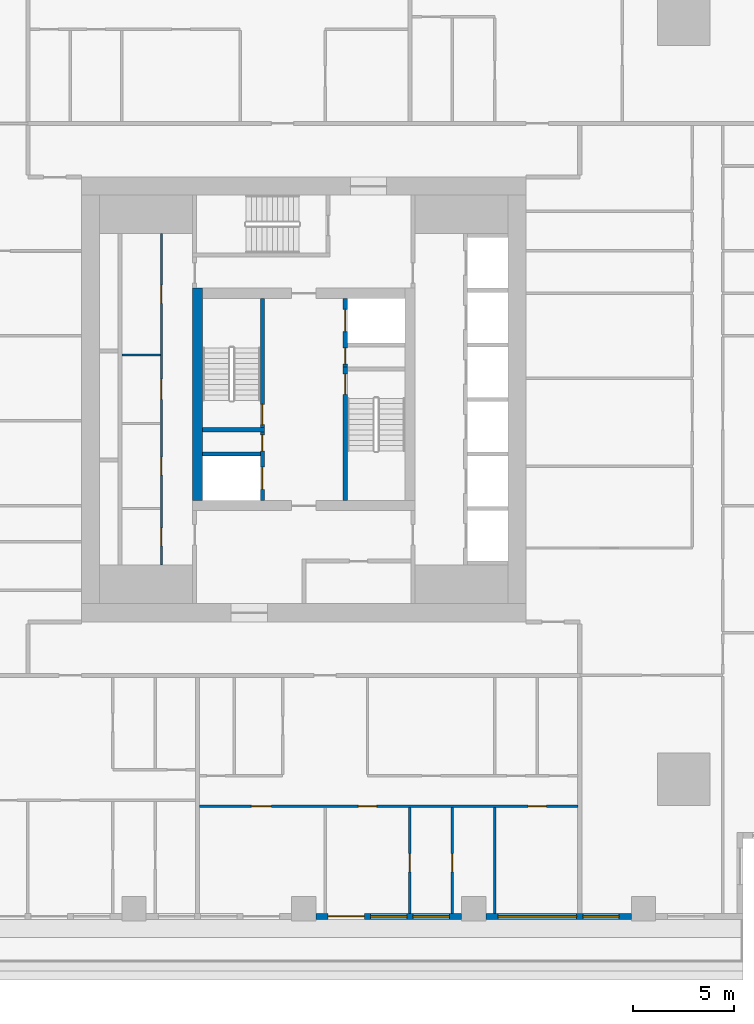
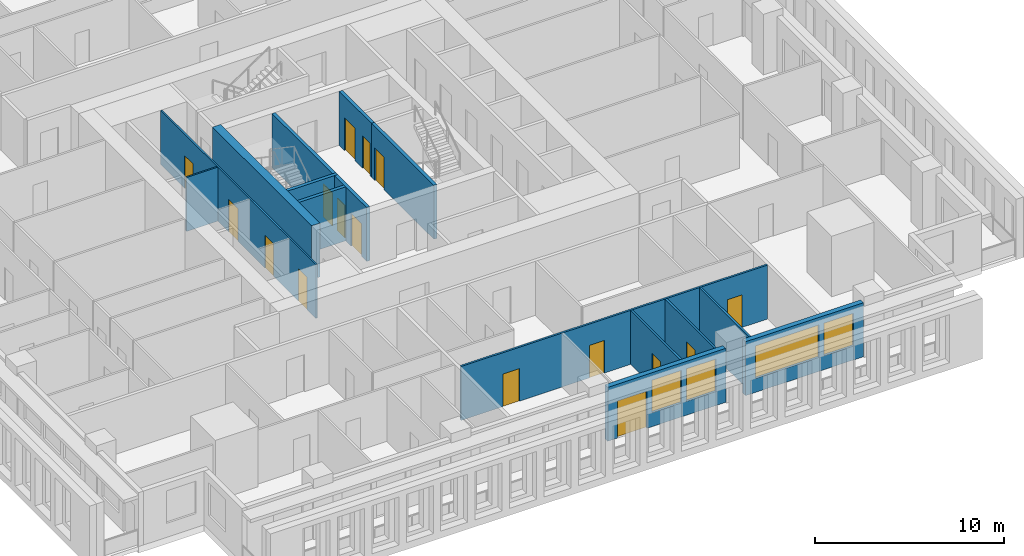
# One storey, part 4 of 16: 16 doors, 15 walls, 4 windows, 20 openings.
"""IFC4 building model written with IfcOpenShell, lengths in metres."""

from ifc_helpers import new_model, si_unit, direction, frame, frame_2d, origin, place, context, subcontext, project, spatial, rectangle, extrude, material, layer, layer_set, type_object, element, fill, save


model = new_model("IFC4")

# Units and contexts
model_context = context("Model", 3, precision=1e-05, world=origin(), true_north=direction((0.0, 1.0)))
body_context = subcontext(model_context, "Body", "Model", "MODEL_VIEW")
ifc_project = project(units=[si_unit("LENGTHUNIT", "METRE"), si_unit("AREAUNIT", "SQUARE_METRE"), si_unit("VOLUMEUNIT", "CUBIC_METRE"), si_unit("PLANEANGLEUNIT", "RADIAN"), si_unit("MASSUNIT", "GRAM", prefix="KILO")], contexts=[model_context])

# Site, building, storey
site_placement = place(None, origin())
site = spatial("IfcSite", under=ifc_project, at=site_placement, CompositionType="ELEMENT")
building_placement = place(site_placement, origin())
building = spatial("IfcBuilding", under=site, at=building_placement, Name="Khepri Terraces", CompositionType="ELEMENT")
storey_placement = place(building_placement, frame((0.0, 0.0, 137.699951171875)))
storey = spatial("IfcBuildingStorey", under=building, at=storey_placement, Name="L32", CompositionType="ELEMENT", Elevation=137.699951171875)

# Wall, opening, door
ifc_material_1 = material(Name="Concrete C60/75", Category="concrete")
ifc_layer_1 = layer(ifc_material_1, 0.199951171875, Name="Concrete C60/75", Category="concrete")
ifc_layer_set_1 = layer_set([ifc_layer_1], Name="Concrete C60/75")
wall_type_1 = type_object("IfcWallType", Name="Core wall 200 C60/75", PredefinedType="SHEAR", material=ifc_layer_set_1)
wall_1_placement = place(storey_placement, frame((2.050048828125, -5.0, 0.0), z_axis=(0.0, 0.0, 1.0), x_axis=(0.0, 1.0, 0.0)))
wall_1 = element("IfcWall", 1, at=wall_1_placement, inside=storey, type_object=wall_type_1, Name="Core wall ST01 L32", PredefinedType="SHEAR", context=body_context, shape_type="SweptSolid", body=[
    extrude(rectangle(XDim=6.60009765625, YDim=0.199951171875, at=frame_2d((3.300048828125, 0.0))), origin(), (0.0, 0.0, 1.0), 3.47998046875),
])
opening_1_placement = place(wall_1_placement, frame((5.25, 0.0, 0.0)))
opening_1 = element("IfcOpeningElement", 2, at=opening_1_placement, cuts=wall_1, Name="Opening L32-C10", PredefinedType="OPENING", context=body_context, shape_type="SweptSolid", body=[
    extrude(rectangle(XDim=1.0, YDim=2.10009765625, at=frame_2d((0.5, 1.050048828125))), frame((0.0, 0.10986328125, 0.0), z_axis=(0.0, -1.0, 0.0), x_axis=(1.0, 0.0, 0.0)), (0.0, 0.0, 1.0), 0.219970703125),
])
ifc_material_2 = material(Name="Painted steel", Category="steel")
door_type_1 = type_object("IfcDoorType", Name="DR-CORE-STAIR-1000", OperationType="NOTDEFINED", PredefinedType="DOOR", material=ifc_material_2)
door_1_placement = place(opening_1_placement, frame((1.0, 0.0, 0.0), z_axis=(0.0, 0.0, 1.0), x_axis=(-1.0, 0.0, 0.0)))
door_1 = element("IfcDoor", 3, at=door_1_placement, inside=storey, type_object=door_type_1, Name="Stair door L32-C10", OperationType="SINGLE_SWING_LEFT", OverallHeight=2.10009765625, OverallWidth=1.0, PredefinedType="DOOR", context=body_context, shape_type="SweptSolid", body=[
    extrude(rectangle(XDim=1.0, YDim=2.10009765625, at=frame_2d((0.5, 1.050048828125))), frame((0.0, 0.02490234375, 0.0), z_axis=(0.0, -1.0, 0.0), x_axis=(1.0, 0.0, 0.0)), (0.0, 0.0, 1.0), 0.050048828125),
])
fill(opening_1, door_1)

# Wall
wall_2_placement = place(storey_placement, frame((-5.0, -1.5, 0.0), z_axis=(0.0, 0.0, 1.0), x_axis=(1.0, 0.0, 0.0)))
element("IfcWall", 4, at=wall_2_placement, inside=storey, type_object=wall_type_1, Name="Core wall ST02 L32", PredefinedType="SHEAR", context=body_context, shape_type="SweptSolid", body=[
    extrude(rectangle(XDim=3.050048828125, YDim=0.199951171875, at=frame_2d((1.52490234375, 0.0))), origin(), (0.0, 0.0, 1.0), 3.47998046875),
])

# Wall, opening, door
wall_3_placement = place(storey_placement, frame((-2.050048828125, -1.39990234375, 0.0), z_axis=(0.0, 0.0, 1.0), x_axis=(0.0, 1.0, 0.0)))
wall_3 = element("IfcWall", 5, at=wall_3_placement, inside=storey, type_object=wall_type_1, Name="Core wall ST03 L32", PredefinedType="SHEAR", context=body_context, shape_type="SweptSolid", body=[
    extrude(rectangle(XDim=6.39990234375, YDim=0.199951171875, at=frame_2d((3.199951171875, 0.0))), origin(), (0.0, 0.0, 1.0), 3.47998046875),
])
opening_2_placement = place(wall_3_placement, frame((0.14990234375, 0.0, 0.0)))
opening_2 = element("IfcOpeningElement", 6, at=opening_2_placement, cuts=wall_3, Name="Opening L32-C09", PredefinedType="OPENING", context=body_context, shape_type="SweptSolid", body=[
    extrude(rectangle(XDim=1.0, YDim=2.10009765625, at=frame_2d((0.5, 1.050048828125))), frame((0.0, 0.10986328125, 0.0), z_axis=(0.0, -1.0, 0.0), x_axis=(1.0, 0.0, 0.0)), (0.0, 0.0, 1.0), 0.219970703125),
])
door_2_placement = place(opening_2_placement, origin())
door_2 = element("IfcDoor", 7, at=door_2_placement, inside=storey, type_object=door_type_1, Name="Stair door L32-C09", OperationType="SINGLE_SWING_LEFT", OverallHeight=2.10009765625, OverallWidth=1.0, PredefinedType="DOOR", context=body_context, shape_type="SweptSolid", body=[
    extrude(rectangle(XDim=1.0, YDim=2.10009765625, at=frame_2d((0.5, 1.050048828125))), frame((0.0, 0.02490234375, 0.0), z_axis=(0.0, -1.0, 0.0), x_axis=(1.0, 0.0, 0.0)), (0.0, 0.0, 1.0), 0.050048828125),
])
fill(opening_2, door_2)

# Wall, openings, doors
wall_4_placement = place(storey_placement, frame((-2.050048828125, -5.0, 0.0), z_axis=(0.0, 0.0, 1.0), x_axis=(0.0, 1.0, 0.0)))
wall_4 = element("IfcWall", 8, at=wall_4_placement, inside=storey, type_object=wall_type_1, Name="Core wall SH05 L32", PredefinedType="SHEAR", context=body_context, shape_type="SweptSolid", body=[
    extrude(rectangle(XDim=3.39990234375, YDim=0.199951171875, at=frame_2d((1.699951171875, 0.0))), origin(), (0.0, 0.0, 1.0), 3.47998046875),
])
opening_3_placement = place(wall_4_placement, frame((0.550048828125, 0.0, 0.0)))
opening_3 = element("IfcOpeningElement", 9, at=opening_3_placement, cuts=wall_4, Name="Opening L32-C08", PredefinedType="OPENING", context=body_context, shape_type="SweptSolid", body=[
    extrude(rectangle(XDim=1.10009765625, YDim=2.10009765625, at=frame_2d((0.550048828125, 1.050048828125))), frame((0.0, 0.10986328125, 0.0), z_axis=(0.0, -1.0, 0.0), x_axis=(1.0, 0.0, 0.0)), (0.0, 0.0, 1.0), 0.219970703125),
])
opening_4_placement = place(wall_4_placement, frame((2.449951171875, 0.0, 0.0)))
opening_4 = element("IfcOpeningElement", 10, at=opening_4_placement, cuts=wall_4, Name="Opening L32-C12", PredefinedType="OPENING", context=body_context, shape_type="SweptSolid", body=[
    extrude(rectangle(XDim=0.800048828125, YDim=2.10009765625, at=frame_2d((0.39990234375, 1.050048828125))), frame((0.0, 0.10986328125, 0.0), z_axis=(0.0, -1.0, 0.0), x_axis=(1.0, 0.0, 0.0)), (0.0, 0.0, 1.0), 0.219970703125),
])
ifc_material_3 = material(Name="Stainless steel 304", Category="steel")
door_type_2 = type_object("IfcDoorType", Name="DR-CORE-FF-LANDING-1100", OperationType="NOTDEFINED", PredefinedType="DOOR", material=ifc_material_3)
door_3_placement = place(opening_3_placement, origin())
door_3 = element("IfcDoor", 11, at=door_3_placement, inside=storey, type_object=door_type_2, Name="Firefighting lift landing door L32-C08", OperationType="SLIDING_TO_LEFT", OverallHeight=2.10009765625, OverallWidth=1.10009765625, PredefinedType="DOOR", context=body_context, shape_type="SweptSolid", body=[
    extrude(rectangle(XDim=1.10009765625, YDim=2.10009765625, at=frame_2d((0.550048828125, 1.050048828125))), frame((0.0, 0.02490234375, 0.0), z_axis=(0.0, -1.0, 0.0), x_axis=(1.0, 0.0, 0.0)), (0.0, 0.0, 1.0), 0.050048828125),
])
fill(opening_3, door_3)
door_type_3 = type_object("IfcDoorType", Name="DR-CORE-RISER-800", OperationType="NOTDEFINED", PredefinedType="DOOR", material=ifc_material_2)
door_4_placement = place(opening_4_placement, origin())
door_4 = element("IfcDoor", 12, at=door_4_placement, inside=storey, type_object=door_type_3, Name="Riser door L32-C12", OperationType="SINGLE_SWING_RIGHT", OverallHeight=2.10009765625, OverallWidth=0.800048828125, PredefinedType="DOOR", context=body_context, shape_type="SweptSolid", body=[
    extrude(rectangle(XDim=0.800048828125, YDim=2.10009765625, at=frame_2d((0.39990234375, 1.050048828125))), frame((0.0, 0.02490234375, 0.0), z_axis=(0.0, -1.0, 0.0), x_axis=(1.0, 0.0, 0.0)), (0.0, 0.0, 1.0), 0.050048828125),
])
fill(opening_4, door_4)

# Wall
wall_5_placement = place(storey_placement, frame((-5.0, -2.699951171875, 0.0), z_axis=(0.0, 0.0, 1.0), x_axis=(1.0, 0.0, 0.0)))
element("IfcWall", 13, at=wall_5_placement, inside=storey, type_object=wall_type_1, Name="Core wall SH07 L32", PredefinedType="SHEAR", context=body_context, shape_type="SweptSolid", body=[
    extrude(rectangle(XDim=2.85009765625, YDim=0.199951171875, at=frame_2d((1.425048828125, 0.0))), origin(), (0.0, 0.0, 1.0), 3.47998046875),
])

# Wall, openings, doors
wall_6_placement = place(storey_placement, frame((2.050048828125, 1.60009765625, 0.0), z_axis=(0.0, 0.0, 1.0), x_axis=(0.0, 1.0, 0.0)))
wall_6 = element("IfcWall", 14, at=wall_6_placement, inside=storey, type_object=wall_type_1, Name="Core wall SH10 L32", PredefinedType="SHEAR", context=body_context, shape_type="SweptSolid", body=[
    extrude(rectangle(XDim=3.39990234375, YDim=0.199951171875, at=frame_2d((1.699951171875, 0.0))), origin(), (0.0, 0.0, 1.0), 3.47998046875),
])
opening_5_placement = place(wall_6_placement, frame((1.75, 0.0, 0.0)))
opening_5 = element("IfcOpeningElement", 15, at=opening_5_placement, cuts=wall_6, Name="Opening L32-C07", PredefinedType="OPENING", context=body_context, shape_type="SweptSolid", body=[
    extrude(rectangle(XDim=1.10009765625, YDim=2.10009765625, at=frame_2d((0.550048828125, 1.050048828125))), frame((0.0, 0.10986328125, 0.0), z_axis=(0.0, -1.0, 0.0), x_axis=(1.0, 0.0, 0.0)), (0.0, 0.0, 1.0), 0.219970703125),
])
opening_6_placement = place(wall_6_placement, frame((0.14990234375, 0.0, 0.0)))
opening_6 = element("IfcOpeningElement", 16, at=opening_6_placement, cuts=wall_6, Name="Opening L32-C11", PredefinedType="OPENING", context=body_context, shape_type="SweptSolid", body=[
    extrude(rectangle(XDim=0.800048828125, YDim=2.10009765625, at=frame_2d((0.39990234375, 1.050048828125))), frame((0.0, 0.10986328125, 0.0), z_axis=(0.0, -1.0, 0.0), x_axis=(1.0, 0.0, 0.0)), (0.0, 0.0, 1.0), 0.219970703125),
])
door_5_placement = place(opening_5_placement, origin())
door_5 = element("IfcDoor", 17, at=door_5_placement, inside=storey, type_object=door_type_2, Name="Firefighting lift landing door L32-C07", OperationType="SLIDING_TO_LEFT", OverallHeight=2.10009765625, OverallWidth=1.10009765625, PredefinedType="DOOR", context=body_context, shape_type="SweptSolid", body=[
    extrude(rectangle(XDim=1.10009765625, YDim=2.10009765625, at=frame_2d((0.550048828125, 1.050048828125))), frame((0.0, 0.02490234375, 0.0), z_axis=(0.0, -1.0, 0.0), x_axis=(1.0, 0.0, 0.0)), (0.0, 0.0, 1.0), 0.050048828125),
])
fill(opening_5, door_5)
door_6_placement = place(opening_6_placement, frame((0.800048828125, 0.0, 0.0), z_axis=(0.0, 0.0, 1.0), x_axis=(-1.0, 0.0, 0.0)))
door_6 = element("IfcDoor", 18, at=door_6_placement, inside=storey, type_object=door_type_3, Name="Riser door L32-C11", OperationType="SINGLE_SWING_RIGHT", OverallHeight=2.10009765625, OverallWidth=0.800048828125, PredefinedType="DOOR", context=body_context, shape_type="SweptSolid", body=[
    extrude(rectangle(XDim=0.800048828125, YDim=2.10009765625, at=frame_2d((0.39990234375, 1.050048828125))), frame((0.0, 0.02490234375, 0.0), z_axis=(0.0, -1.0, 0.0), x_axis=(1.0, 0.0, 0.0)), (0.0, 0.0, 1.0), 0.050048828125),
])
fill(opening_6, door_6)

# Wall
ifc_layer_2 = layer(ifc_material_1, 0.5, Name="Concrete C60/75", Category="concrete")
ifc_layer_set_2 = layer_set([ifc_layer_2], Name="Concrete C60/75")
wall_type_2 = type_object("IfcWallType", Name="Core wall 500 C60/75", PredefinedType="SHEAR", material=ifc_layer_set_2)
wall_7_placement = place(storey_placement, frame((-5.25, -5.0, 0.0), z_axis=(0.0, 0.0, 1.0), x_axis=(0.0, 1.0, 0.0)))
element("IfcWall", 19, at=wall_7_placement, inside=storey, type_object=wall_type_2, Name="Core wall BX02 L32", PredefinedType="SHEAR", context=body_context, shape_type="SweptSolid", body=[
    extrude(rectangle(XDim=10.5, YDim=0.5, at=frame_2d((5.25, 0.0))), origin(), (0.0, 0.0, 1.0), 3.47998046875),
])

# Wall, openings, doors
ifc_material_4 = material(Name="Fire-rated gypsum board partition")
ifc_layer_3 = layer(ifc_material_4, 0.10009765625, Name="Fire-rated gypsum board partition")
ifc_layer_set_3 = layer_set([ifc_layer_3], Name="Fire-rated gypsum board partition")
wall_type_3 = type_object("IfcWallType", Name="WL-CORE-PART-100", PredefinedType="PARTITIONING", material=ifc_layer_set_3)
wall_8_placement = place(storey_placement, frame((-7.050048828125, -8.199951171875, 0.0), z_axis=(0.0, 0.0, 1.0), x_axis=(0.0, 1.0, 0.0)))
wall_8 = element("IfcWall", 20, at=wall_8_placement, inside=storey, type_object=wall_type_3, Name="Core partition PT04 L32", PredefinedType="PARTITIONING", context=body_context, shape_type="SweptSolid", body=[
    extrude(rectangle(XDim=16.39990234375, YDim=0.10009765625, at=frame_2d((8.199951171875, 0.0))), origin(), (0.0, 0.0, 1.0), 3.47998046875),
])
opening_7_placement = place(wall_8_placement, frame((0.949951171875, 0.0, 0.0)))
opening_7 = element("IfcOpeningElement", 21, at=opening_7_placement, cuts=wall_8, Name="Opening L32-C23", PredefinedType="OPENING", context=body_context, shape_type="SweptSolid", body=[
    extrude(rectangle(XDim=0.89990234375, YDim=2.10009765625, at=frame_2d((0.449951171875, 1.050048828125))), frame((0.0, 0.06005859375, 0.0), z_axis=(0.0, -1.0, 0.0), x_axis=(1.0, 0.0, 0.0)), (0.0, 0.0, 1.0), 0.1201171875),
])
opening_8_placement = place(wall_8_placement, frame((4.449951171875, 0.0, 0.0)))
opening_8 = element("IfcOpeningElement", 22, at=opening_8_placement, cuts=wall_8, Name="Opening L32-C24", PredefinedType="OPENING", context=body_context, shape_type="SweptSolid", body=[
    extrude(rectangle(XDim=0.89990234375, YDim=2.10009765625, at=frame_2d((0.449951171875, 1.050048828125))), frame((0.0, 0.06005859375, 0.0), z_axis=(0.0, -1.0, 0.0), x_axis=(1.0, 0.0, 0.0)), (0.0, 0.0, 1.0), 0.1201171875),
])
opening_9_placement = place(wall_8_placement, frame((8.199951171875, 0.0, 0.0)))
opening_9 = element("IfcOpeningElement", 23, at=opening_9_placement, cuts=wall_8, Name="Opening L32-C25", PredefinedType="OPENING", context=body_context, shape_type="SweptSolid", body=[
    extrude(rectangle(XDim=1.0, YDim=2.10009765625, at=frame_2d((0.5, 1.050048828125))), frame((0.0, 0.06005859375, 0.0), z_axis=(0.0, -1.0, 0.0), x_axis=(1.0, 0.0, 0.0)), (0.0, 0.0, 1.0), 0.1201171875),
])
opening_10_placement = place(wall_8_placement, frame((12.949951171875, 0.0, 0.0)))
opening_10 = element("IfcOpeningElement", 24, at=opening_10_placement, cuts=wall_8, Name="Opening L32-C26", PredefinedType="OPENING", context=body_context, shape_type="SweptSolid", body=[
    extrude(rectangle(XDim=0.89990234375, YDim=2.10009765625, at=frame_2d((0.449951171875, 1.050048828125))), frame((0.0, 0.06005859375, 0.0), z_axis=(0.0, -1.0, 0.0), x_axis=(1.0, 0.0, 0.0)), (0.0, 0.0, 1.0), 0.1201171875),
])
door_type_4 = type_object("IfcDoorType", Name="DR-CORE-SERVICE-900", OperationType="NOTDEFINED", PredefinedType="DOOR", material=ifc_material_2)
door_7_placement = place(opening_7_placement, origin())
door_7 = element("IfcDoor", 25, at=door_7_placement, inside=storey, type_object=door_type_4, Name="Service room door L32-C23", OperationType="SINGLE_SWING_LEFT", OverallHeight=2.10009765625, OverallWidth=0.89990234375, PredefinedType="DOOR", context=body_context, shape_type="SweptSolid", body=[
    extrude(rectangle(XDim=0.89990234375, YDim=2.10009765625, at=frame_2d((0.449951171875, 1.050048828125))), frame((0.0, 0.02490234375, 0.0), z_axis=(0.0, -1.0, 0.0), x_axis=(1.0, 0.0, 0.0)), (0.0, 0.0, 1.0), 0.050048828125),
])
fill(opening_7, door_7)
door_8_placement = place(opening_8_placement, origin())
door_8 = element("IfcDoor", 26, at=door_8_placement, inside=storey, type_object=door_type_4, Name="Service room door L32-C24", OperationType="SINGLE_SWING_LEFT", OverallHeight=2.10009765625, OverallWidth=0.89990234375, PredefinedType="DOOR", context=body_context, shape_type="SweptSolid", body=[
    extrude(rectangle(XDim=0.89990234375, YDim=2.10009765625, at=frame_2d((0.449951171875, 1.050048828125))), frame((0.0, 0.02490234375, 0.0), z_axis=(0.0, -1.0, 0.0), x_axis=(1.0, 0.0, 0.0)), (0.0, 0.0, 1.0), 0.050048828125),
])
fill(opening_8, door_8)
door_9_placement = place(opening_10_placement, origin())
door_9 = element("IfcDoor", 27, at=door_9_placement, inside=storey, type_object=door_type_4, Name="Service room door L32-C26", OperationType="SINGLE_SWING_RIGHT", OverallHeight=2.10009765625, OverallWidth=0.89990234375, PredefinedType="DOOR", context=body_context, shape_type="SweptSolid", body=[
    extrude(rectangle(XDim=0.89990234375, YDim=2.10009765625, at=frame_2d((0.449951171875, 1.050048828125))), frame((0.0, 0.02490234375, 0.0), z_axis=(0.0, -1.0, 0.0), x_axis=(1.0, 0.0, 0.0)), (0.0, 0.0, 1.0), 0.050048828125),
])
fill(opening_10, door_9)
ifc_material_5 = material(Name="Timber veneer", Category="wood")
door_type_5 = type_object("IfcDoorType", Name="DR-CORE-WC-1000", OperationType="NOTDEFINED", PredefinedType="DOOR", material=ifc_material_5)
door_10_placement = place(opening_9_placement, origin())
door_10 = element("IfcDoor", 28, at=door_10_placement, inside=storey, type_object=door_type_5, Name="WC door L32-C25", OperationType="SINGLE_SWING_RIGHT", OverallHeight=2.10009765625, OverallWidth=1.0, PredefinedType="DOOR", context=body_context, shape_type="SweptSolid", body=[
    extrude(rectangle(XDim=1.0, YDim=2.10009765625, at=frame_2d((0.5, 1.050048828125))), frame((0.0, 0.02490234375, 0.0), z_axis=(0.0, -1.0, 0.0), x_axis=(1.0, 0.0, 0.0)), (0.0, 0.0, 1.0), 0.050048828125),
])
fill(opening_9, door_10)

# Wall
wall_9_placement = place(storey_placement, frame((-9.0, 2.199951171875, 0.0), z_axis=(0.0, 0.0, 1.0), x_axis=(1.0, 0.0, 0.0)))
element("IfcWall", 29, at=wall_9_placement, inside=storey, type_object=wall_type_3, Name="Core partition PT08 L32", PredefinedType="PARTITIONING", context=body_context, shape_type="SweptSolid", body=[
    extrude(rectangle(XDim=1.89990234375, YDim=0.10009765625, at=frame_2d((0.949951171875, 0.0))), origin(), (0.0, 0.0, 1.0), 3.47998046875),
])

# Wall, openings, door, windows
ifc_material_6 = material(Name="Precast concrete C50/60 warm stone", Category="masonry")
ifc_layer_4 = layer(ifc_material_6, 0.300048828125, Name="Precast concrete C50/60 warm stone", Category="masonry")
ifc_layer_set_4 = layer_set([ifc_layer_4], Name="Precast concrete C50/60 warm stone")
wall_type_4 = type_object("IfcWallType", Name="WL-EXT-PRECAST-300", PredefinedType="STANDARD", material=ifc_layer_set_4)
wall_10_placement = place(storey_placement, frame((0.60009765625, -25.570068359375, 0.0), z_axis=(0.0, 0.0, 1.0), x_axis=(1.0, 0.0, 0.0)))
wall_10 = element("IfcWall", 30, at=wall_10_placement, inside=storey, type_object=wall_type_4, Name="External wall L32 S", PredefinedType="STANDARD", context=body_context, shape_type="SweptSolid", body=[
    extrude(rectangle(XDim=7.199951171875, YDim=0.300048828125, at=frame_2d((3.60009765625, 0.0))), origin(), (0.0, 0.0, 1.0), 3.47998046875),
])
opening_11_placement = place(wall_10_placement, frame((0.60009765625, 0.0, 0.0)))
opening_11 = element("IfcOpeningElement", 31, at=opening_11_placement, cuts=wall_10, Name="Opening ED-L32-22", PredefinedType="OPENING", context=body_context, shape_type="SweptSolid", body=[
    extrude(rectangle(XDim=1.800048828125, YDim=2.39990234375, at=frame_2d((0.89990234375, 1.199951171875))), frame((0.0, 0.16015625, 0.0), z_axis=(0.0, -1.0, 0.0), x_axis=(1.0, 0.0, 0.0)), (0.0, 0.0, 1.0), 0.320068359375),
])
opening_12_placement = place(wall_10_placement, frame((2.699951171875, 0.0, 0.89990234375)))
opening_12 = element("IfcOpeningElement", 32, at=opening_12_placement, cuts=wall_10, Name="Opening W1", PredefinedType="OPENING", context=body_context, shape_type="SweptSolid", body=[
    extrude(rectangle(XDim=1.800048828125, YDim=2.10009765625, at=frame_2d((0.89990234375, 1.050048828125))), frame((0.0, 0.16015625, 0.0), z_axis=(0.0, -1.0, 0.0), x_axis=(1.0, 0.0, 0.0)), (0.0, 0.0, 1.0), 0.320068359375),
])
opening_13_placement = place(wall_10_placement, frame((4.800048828125, 0.0, 0.89990234375)))
opening_13 = element("IfcOpeningElement", 33, at=opening_13_placement, cuts=wall_10, Name="Opening W1", PredefinedType="OPENING", context=body_context, shape_type="SweptSolid", body=[
    extrude(rectangle(XDim=1.800048828125, YDim=2.10009765625, at=frame_2d((0.89990234375, 1.050048828125))), frame((0.0, 0.16015625, 0.0), z_axis=(0.0, -1.0, 0.0), x_axis=(1.0, 0.0, 0.0)), (0.0, 0.0, 1.0), 0.320068359375),
])
ifc_material_7 = material(Name="Anodised aluminium bronze glazed door", Category="aluminium")
door_type_6 = type_object("IfcDoorType", Name="DR-BAL-SLIDE-1800x2400", OperationType="NOTDEFINED", PredefinedType="DOOR", material=ifc_material_7)
door_11_placement = place(opening_11_placement, origin())
door_11 = element("IfcDoor", 34, at=door_11_placement, inside=storey, type_object=door_type_6, Name="Balcony door L32 S", OperationType="SLIDING_TO_LEFT", OverallHeight=2.39990234375, OverallWidth=1.800048828125, PredefinedType="DOOR", context=body_context, shape_type="SweptSolid", body=[
    extrude(rectangle(XDim=1.800048828125, YDim=2.39990234375, at=frame_2d((0.89990234375, 1.199951171875))), frame((0.0, 0.02490234375, 0.0), z_axis=(0.0, -1.0, 0.0), x_axis=(1.0, 0.0, 0.0)), (0.0, 0.0, 1.0), 0.050048828125),
])
fill(opening_11, door_11)
ifc_material_8 = material(Name="Clear glass", Category="glass")
window_type_1 = type_object("IfcWindowType", Name="WIN-RES-1800x2100", PartitioningType="SINGLE_PANEL", PredefinedType="WINDOW", material=ifc_material_8)
window_1_placement = place(opening_12_placement, origin())
window_1 = element("IfcWindow", 35, at=window_1_placement, inside=storey, type_object=window_type_1, Name="Window L32 S", OverallHeight=2.10009765625, OverallWidth=1.800048828125, PartitioningType="SINGLE_PANEL", PredefinedType="WINDOW", context=body_context, shape_type="SweptSolid", body=[
    extrude(rectangle(XDim=1.800048828125, YDim=2.10009765625, at=frame_2d((0.89990234375, 1.050048828125))), frame((0.0, 0.030029296875, 0.0), z_axis=(0.0, -1.0, 0.0), x_axis=(1.0, 0.0, 0.0)), (0.0, 0.0, 1.0), 0.06005859375),
])
fill(opening_12, window_1)
window_2_placement = place(opening_13_placement, origin())
window_2 = element("IfcWindow", 36, at=window_2_placement, inside=storey, type_object=window_type_1, Name="Window L32 S", OverallHeight=2.10009765625, OverallWidth=1.800048828125, PartitioningType="SINGLE_PANEL", PredefinedType="WINDOW", context=body_context, shape_type="SweptSolid", body=[
    extrude(rectangle(XDim=1.800048828125, YDim=2.10009765625, at=frame_2d((0.89990234375, 1.050048828125))), frame((0.0, 0.030029296875, 0.0), z_axis=(0.0, -1.0, 0.0), x_axis=(1.0, 0.0, 0.0)), (0.0, 0.0, 1.0), 0.06005859375),
])
fill(opening_13, window_2)

# Wall, openings, windows
wall_11_placement = place(storey_placement, frame((9.0, -25.570068359375, 0.0), z_axis=(0.0, 0.0, 1.0), x_axis=(1.0, 0.0, 0.0)))
wall_11 = element("IfcWall", 37, at=wall_11_placement, inside=storey, type_object=wall_type_4, Name="External wall L32 S", PredefinedType="STANDARD", context=body_context, shape_type="SweptSolid", body=[
    extrude(rectangle(XDim=7.199951171875, YDim=0.300048828125, at=frame_2d((3.60009765625, 0.0))), origin(), (0.0, 0.0, 1.0), 3.47998046875),
])
opening_14_placement = place(wall_11_placement, frame((0.60009765625, 0.0, 0.89990234375)))
opening_14 = element("IfcOpeningElement", 38, at=opening_14_placement, cuts=wall_11, Name="Opening W2", PredefinedType="OPENING", context=body_context, shape_type="SweptSolid", body=[
    extrude(rectangle(XDim=3.89990234375, YDim=2.10009765625, at=frame_2d((1.949951171875, 1.050048828125))), frame((0.0, 0.16015625, 0.0), z_axis=(0.0, -1.0, 0.0), x_axis=(1.0, 0.0, 0.0)), (0.0, 0.0, 1.0), 0.320068359375),
])
opening_15_placement = place(wall_11_placement, frame((4.800048828125, 0.0, 0.89990234375)))
opening_15 = element("IfcOpeningElement", 39, at=opening_15_placement, cuts=wall_11, Name="Opening W1", PredefinedType="OPENING", context=body_context, shape_type="SweptSolid", body=[
    extrude(rectangle(XDim=1.800048828125, YDim=2.10009765625, at=frame_2d((0.89990234375, 1.050048828125))), frame((0.0, 0.16015625, 0.0), z_axis=(0.0, -1.0, 0.0), x_axis=(1.0, 0.0, 0.0)), (0.0, 0.0, 1.0), 0.320068359375),
])
window_3_placement = place(opening_15_placement, origin())
window_3 = element("IfcWindow", 40, at=window_3_placement, inside=storey, type_object=window_type_1, Name="Window L32 S", OverallHeight=2.10009765625, OverallWidth=1.800048828125, PartitioningType="SINGLE_PANEL", PredefinedType="WINDOW", context=body_context, shape_type="SweptSolid", body=[
    extrude(rectangle(XDim=1.800048828125, YDim=2.10009765625, at=frame_2d((0.89990234375, 1.050048828125))), frame((0.0, 0.030029296875, 0.0), z_axis=(0.0, -1.0, 0.0), x_axis=(1.0, 0.0, 0.0)), (0.0, 0.0, 1.0), 0.06005859375),
])
fill(opening_15, window_3)
window_type_2 = type_object("IfcWindowType", Name="WIN-RES-3900x2100", PartitioningType="SINGLE_PANEL", PredefinedType="WINDOW", material=ifc_material_8)
window_4_placement = place(opening_14_placement, origin())
window_4 = element("IfcWindow", 41, at=window_4_placement, inside=storey, type_object=window_type_2, Name="Window L32 S", OverallHeight=2.10009765625, OverallWidth=3.89990234375, PartitioningType="SINGLE_PANEL", PredefinedType="WINDOW", context=body_context, shape_type="SweptSolid", body=[
    extrude(rectangle(XDim=3.89990234375, YDim=2.10009765625, at=frame_2d((1.949951171875, 1.050048828125))), frame((0.0, 0.030029296875, 0.0), z_axis=(0.0, -1.0, 0.0), x_axis=(1.0, 0.0, 0.0)), (0.0, 0.0, 1.0), 0.06005859375),
])
fill(opening_14, window_4)

# Wall, opening, door
ifc_material_9 = material(Name="Gypsum plasterboard partition")
ifc_layer_5 = layer(ifc_material_9, 0.1201171875, Name="Gypsum plasterboard partition")
ifc_layer_set_5 = layer_set([ifc_layer_5], Name="Gypsum plasterboard partition")
wall_type_5 = type_object("IfcWallType", Name="WL-PART-120", PredefinedType="PARTITIONING", material=ifc_layer_set_5)
wall_12_placement = place(storey_placement, frame((5.25, -25.419921875, 0.0), z_axis=(0.0, 0.0, 1.0), x_axis=(0.0, 1.0, 0.0)))
wall_12 = element("IfcWall", 42, at=wall_12_placement, inside=storey, type_object=wall_type_5, Name="Partition P-006 L32", PredefinedType="PARTITIONING", context=body_context, shape_type="SweptSolid", body=[
    extrude(rectangle(XDim=5.239990234375, YDim=0.1201171875, at=frame_2d((2.6201171875, 0.0))), origin(), (0.0, 0.0, 1.0), 3.47998046875),
])
opening_16_placement = place(wall_12_placement, frame((2.050048828125, 0.0, 0.0)))
opening_16 = element("IfcOpeningElement", 43, at=opening_16_placement, cuts=wall_12, Name="Opening D3", PredefinedType="OPENING", context=body_context, shape_type="SweptSolid", body=[
    extrude(rectangle(XDim=0.89990234375, YDim=2.10009765625, at=frame_2d((0.449951171875, 1.050048828125))), frame((0.0, 0.070068359375, 0.0), z_axis=(0.0, -1.0, 0.0), x_axis=(1.0, 0.0, 0.0)), (0.0, 0.0, 1.0), 0.14013671875),
])
ifc_material_10 = material(Name="Timber door leaf", Category="wood")
door_type_7 = type_object("IfcDoorType", Name="DR-INT-900", OperationType="NOTDEFINED", PredefinedType="DOOR", material=ifc_material_10)
door_12_placement = place(opening_16_placement, frame((0.89990234375, 0.0, 0.0), z_axis=(0.0, 0.0, 1.0), x_axis=(-1.0, 0.0, 0.0)))
door_12 = element("IfcDoor", 44, at=door_12_placement, inside=storey, type_object=door_type_7, Name="Door Dressing Room", OperationType="SINGLE_SWING_RIGHT", OverallHeight=2.10009765625, OverallWidth=0.89990234375, PredefinedType="DOOR", context=body_context, shape_type="SweptSolid", body=[
    extrude(rectangle(XDim=0.89990234375, YDim=2.10009765625, at=frame_2d((0.449951171875, 1.050048828125))), frame((0.0, 0.02490234375, 0.0), z_axis=(0.0, -1.0, 0.0), x_axis=(1.0, 0.0, 0.0)), (0.0, 0.0, 1.0), 0.050048828125),
])
fill(opening_16, door_12)

wall_13_placement = place(storey_placement, frame((7.35009765625, -25.419921875, 0.0), z_axis=(0.0, 0.0, 1.0), x_axis=(0.0, 1.0, 0.0)))
wall_13 = element("IfcWall", 45, at=wall_13_placement, inside=storey, type_object=wall_type_5, Name="Partition P-007 L32", PredefinedType="PARTITIONING", context=body_context, shape_type="SweptSolid", body=[
    extrude(rectangle(XDim=5.239990234375, YDim=0.1201171875, at=frame_2d((2.6201171875, 0.0))), origin(), (0.0, 0.0, 1.0), 3.47998046875),
])
opening_17_placement = place(wall_13_placement, frame((2.050048828125, 0.0, 0.0)))
opening_17 = element("IfcOpeningElement", 46, at=opening_17_placement, cuts=wall_13, Name="Opening D4", PredefinedType="OPENING", context=body_context, shape_type="SweptSolid", body=[
    extrude(rectangle(XDim=0.89990234375, YDim=2.10009765625, at=frame_2d((0.449951171875, 1.050048828125))), frame((0.0, 0.070068359375, 0.0), z_axis=(0.0, -1.0, 0.0), x_axis=(1.0, 0.0, 0.0)), (0.0, 0.0, 1.0), 0.14013671875),
])
ifc_material_11 = material(Name="Timber door leaf, moisture resistant", Category="wood")
door_type_8 = type_object("IfcDoorType", Name="DR-WET-900", OperationType="NOTDEFINED", PredefinedType="DOOR", material=ifc_material_11)
door_13_placement = place(opening_17_placement, frame((0.89990234375, 0.0, 0.0), z_axis=(0.0, 0.0, 1.0), x_axis=(-1.0, 0.0, 0.0)))
door_13 = element("IfcDoor", 47, at=door_13_placement, inside=storey, type_object=door_type_8, Name="Door Bathroom", OperationType="SINGLE_SWING_RIGHT", OverallHeight=2.10009765625, OverallWidth=0.89990234375, PredefinedType="DOOR", context=body_context, shape_type="SweptSolid", body=[
    extrude(rectangle(XDim=0.89990234375, YDim=2.10009765625, at=frame_2d((0.449951171875, 1.050048828125))), frame((0.0, 0.02490234375, 0.0), z_axis=(0.0, -1.0, 0.0), x_axis=(1.0, 0.0, 0.0)), (0.0, 0.0, 1.0), 0.050048828125),
])
fill(opening_17, door_13)

# Wall
wall_14_placement = place(storey_placement, frame((9.449951171875, -25.419921875, 0.0), z_axis=(0.0, 0.0, 1.0), x_axis=(0.0, 1.0, 0.0)))
element("IfcWall", 48, at=wall_14_placement, inside=storey, type_object=wall_type_5, Name="Partition P-008 L32", PredefinedType="PARTITIONING", context=body_context, shape_type="SweptSolid", body=[
    extrude(rectangle(XDim=5.239990234375, YDim=0.1201171875, at=frame_2d((2.6201171875, 0.0))), origin(), (0.0, 0.0, 1.0), 3.47998046875),
])

# Wall, openings, doors
wall_15_placement = place(storey_placement, frame((-5.14990234375, -20.1201171875, 0.0), z_axis=(0.0, 0.0, 1.0), x_axis=(1.0, 0.0, 0.0)))
wall_15 = element("IfcWall", 49, at=wall_15_placement, inside=storey, type_object=wall_type_5, Name="Partition P-011 L32", PredefinedType="PARTITIONING", context=body_context, shape_type="SweptSolid", body=[
    extrude(rectangle(XDim=18.699951171875, YDim=0.1201171875, at=frame_2d((9.35009765625, 0.0))), origin(), (0.0, 0.0, 1.0), 3.47998046875),
])
opening_18_placement = place(wall_15_placement, frame((2.550048828125, 0.0, 0.0)))
opening_18 = element("IfcOpeningElement", 50, at=opening_18_placement, cuts=wall_15, Name="Opening D2", PredefinedType="OPENING", context=body_context, shape_type="SweptSolid", body=[
    extrude(rectangle(XDim=1.0, YDim=2.10009765625, at=frame_2d((0.5, 1.050048828125))), frame((0.0, 0.070068359375, 0.0), z_axis=(0.0, -1.0, 0.0), x_axis=(1.0, 0.0, 0.0)), (0.0, 0.0, 1.0), 0.14013671875),
])
opening_19_placement = place(wall_15_placement, frame((7.85009765625, 0.0, 0.0)))
opening_19 = element("IfcOpeningElement", 51, at=opening_19_placement, cuts=wall_15, Name="Opening D3", PredefinedType="OPENING", context=body_context, shape_type="SweptSolid", body=[
    extrude(rectangle(XDim=0.89990234375, YDim=2.10009765625, at=frame_2d((0.449951171875, 1.050048828125))), frame((0.0, 0.070068359375, 0.0), z_axis=(0.0, -1.0, 0.0), x_axis=(1.0, 0.0, 0.0)), (0.0, 0.0, 1.0), 0.14013671875),
])
opening_20_placement = place(wall_15_placement, frame((16.25, 0.0, 0.0)))
opening_20 = element("IfcOpeningElement", 52, at=opening_20_placement, cuts=wall_15, Name="Opening D3", PredefinedType="OPENING", context=body_context, shape_type="SweptSolid", body=[
    extrude(rectangle(XDim=0.89990234375, YDim=2.10009765625, at=frame_2d((0.449951171875, 1.050048828125))), frame((0.0, 0.070068359375, 0.0), z_axis=(0.0, -1.0, 0.0), x_axis=(1.0, 0.0, 0.0)), (0.0, 0.0, 1.0), 0.14013671875),
])
ifc_material_12 = material(Name="Timber door leaf, living room door", Category="wood")
door_type_9 = type_object("IfcDoorType", Name="DR-INT-1000", OperationType="NOTDEFINED", PredefinedType="DOOR", material=ifc_material_12)
door_14_placement = place(opening_18_placement, frame((1.0, 0.0, 0.0), z_axis=(0.0, 0.0, 1.0), x_axis=(-1.0, 0.0, 0.0)))
door_14 = element("IfcDoor", 53, at=door_14_placement, inside=storey, type_object=door_type_9, Name="Door Living Room", OperationType="SINGLE_SWING_RIGHT", OverallHeight=2.10009765625, OverallWidth=1.0, PredefinedType="DOOR", context=body_context, shape_type="SweptSolid", body=[
    extrude(rectangle(XDim=1.0, YDim=2.10009765625, at=frame_2d((0.5, 1.050048828125))), frame((0.0, 0.02490234375, 0.0), z_axis=(0.0, -1.0, 0.0), x_axis=(1.0, 0.0, 0.0)), (0.0, 0.0, 1.0), 0.050048828125),
])
fill(opening_18, door_14)
door_15_placement = place(opening_19_placement, frame((0.89990234375, 0.0, 0.0), z_axis=(0.0, 0.0, 1.0), x_axis=(-1.0, 0.0, 0.0)))
door_15 = element("IfcDoor", 54, at=door_15_placement, inside=storey, type_object=door_type_7, Name="Door Master Bedroom", OperationType="SINGLE_SWING_RIGHT", OverallHeight=2.10009765625, OverallWidth=0.89990234375, PredefinedType="DOOR", context=body_context, shape_type="SweptSolid", body=[
    extrude(rectangle(XDim=0.89990234375, YDim=2.10009765625, at=frame_2d((0.449951171875, 1.050048828125))), frame((0.0, 0.02490234375, 0.0), z_axis=(0.0, -1.0, 0.0), x_axis=(1.0, 0.0, 0.0)), (0.0, 0.0, 1.0), 0.050048828125),
])
fill(opening_19, door_15)
door_16_placement = place(opening_20_placement, frame((0.89990234375, 0.0, 0.0), z_axis=(0.0, 0.0, 1.0), x_axis=(-1.0, 0.0, 0.0)))
door_16 = element("IfcDoor", 55, at=door_16_placement, inside=storey, type_object=door_type_7, Name="Door Study", OperationType="SINGLE_SWING_LEFT", OverallHeight=2.10009765625, OverallWidth=0.89990234375, PredefinedType="DOOR", context=body_context, shape_type="SweptSolid", body=[
    extrude(rectangle(XDim=0.89990234375, YDim=2.10009765625, at=frame_2d((0.449951171875, 1.050048828125))), frame((0.0, 0.02490234375, 0.0), z_axis=(0.0, -1.0, 0.0), x_axis=(1.0, 0.0, 0.0)), (0.0, 0.0, 1.0), 0.050048828125),
])
fill(opening_20, door_16)

save(model, "model.ifc")
